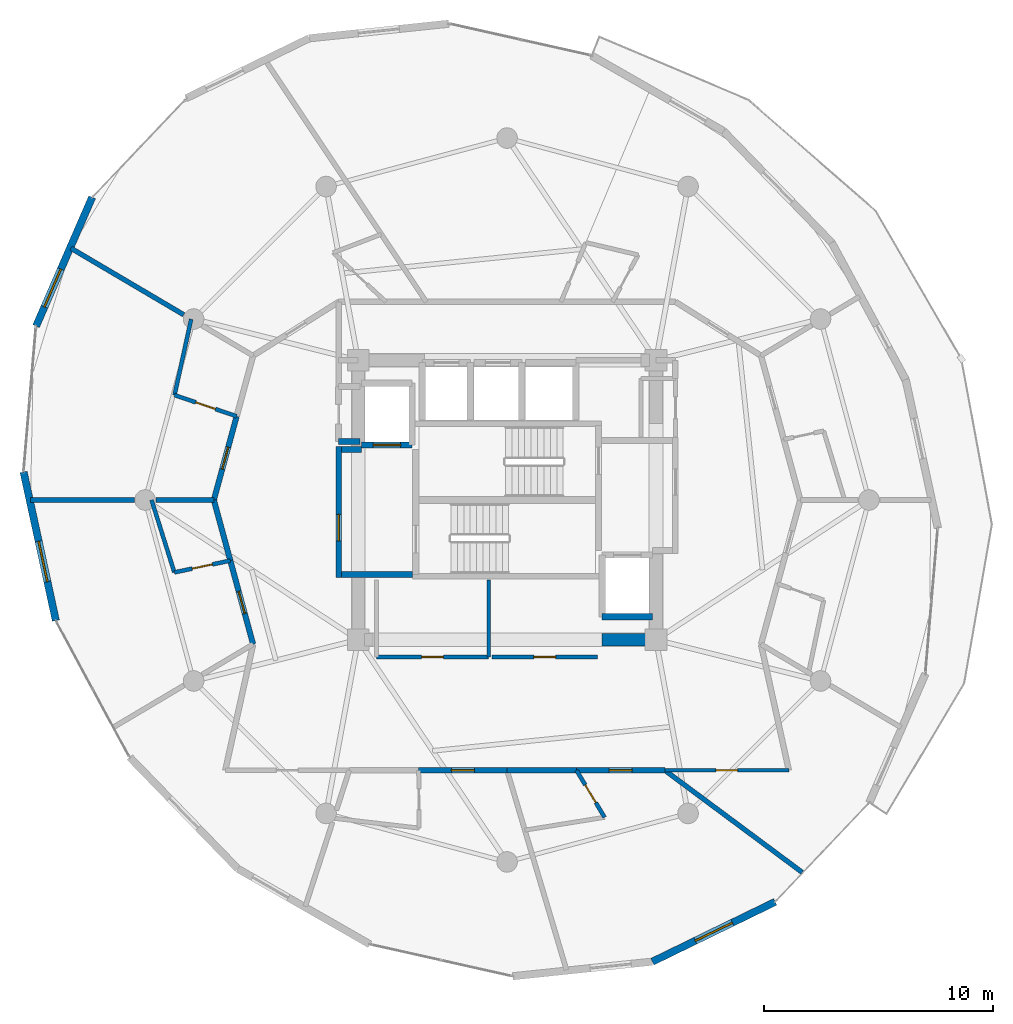
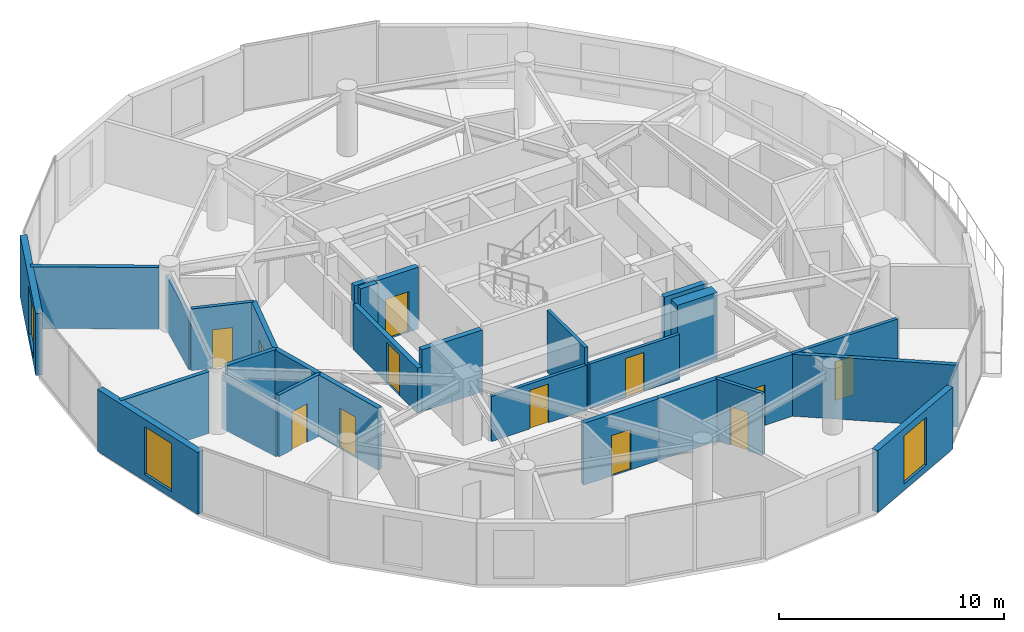
# One storey, part 18 of 23: 29 walls, 12 doors, 3 windows, 15 openings.
"""IFC4 building model written with IfcOpenShell, lengths in metres."""

from ifc_helpers import new_model, si_unit, direction, frame, frame_2d, origin, place, context, subcontext, project, spatial, rectangle, extrude, material, layer, layer_set, type_object, element, fill, save


model = new_model("IFC4")

# Units and contexts
model_context = context("Model", 3, precision=1e-05, world=origin(), true_north=direction((0.0, 1.0)))
body_context = subcontext(model_context, "Body", "Model", "MODEL_VIEW")
ifc_project = project(units=[si_unit("LENGTHUNIT", "METRE"), si_unit("AREAUNIT", "SQUARE_METRE"), si_unit("VOLUMEUNIT", "CUBIC_METRE"), si_unit("PLANEANGLEUNIT", "RADIAN"), si_unit("MASSUNIT", "GRAM", prefix="KILO")], contexts=[model_context])

# Site, building, storey
site_placement = place(None, origin())
site = spatial("IfcSite", under=ifc_project, at=site_placement, CompositionType="ELEMENT")
building_placement = place(site_placement, origin())
building = spatial("IfcBuilding", under=site, at=building_placement, Name="Solvirekh Grand Hotel", CompositionType="ELEMENT")
storey_placement = place(building_placement, frame((0.0, 0.0, 173.199951171875)))
storey = spatial("IfcBuildingStorey", under=building, at=storey_placement, Name="L44", CompositionType="ELEMENT", Elevation=173.199951171875)

# Wall, opening, door
ifc_material_1 = material(Name="Concrete C40/50", Category="concrete")
ifc_layer_1 = layer(ifc_material_1, 0.280029296875)
ifc_layer_set_1 = layer_set([ifc_layer_1], Name="Concrete C40/50")
wall_type_1 = type_object("IfcWallType", Name="CoreShaftWall_RC280", PredefinedType="SOLIDWALL", material=ifc_layer_set_1)
wall_1_placement = place(storey_placement, frame((-6.35009765625, 2.39990234375, 0.0), z_axis=(0.0, 0.0, 1.0), x_axis=(1.0, 0.0, 0.0)))
wall_1 = element("IfcWall", 1, at=wall_1_placement, inside=storey, type_object=wall_type_1, Name="L44 FL-1 hoistway S wall", PredefinedType="SOLIDWALL", context=body_context, shape_type="SweptSolid", body=[
    extrude(rectangle(XDim=2.2001953125, YDim=0.280029296875, at=frame_2d((1.10009765625, 0.0))), origin(), (0.0, 0.0, 1.0), 3.360107421875),
])
opening_1_placement = place(wall_1_placement, frame((0.5, 0.0, 0.0)))
opening_1 = element("IfcOpeningElement", 2, at=opening_1_placement, cuts=wall_1, Name="Opening LD02", PredefinedType="OPENING", context=body_context, shape_type="SweptSolid", body=[
    extrude(rectangle(XDim=1.199951171875, YDim=2.199951171875, at=frame_2d((0.60009765625, 1.10009765625))), frame((0.0, 0.14990234375, 0.0), z_axis=(0.0, -1.0, 0.0), x_axis=(1.0, 0.0, 0.0)), (0.0, 0.0, 1.0), 0.300048828125),
])
ifc_material_2 = material(Name="Fire-Rated Steel Door Assembly", Category="steel")
door_type_1 = type_object("IfcDoorType", Name="Door_LiftFF_1200X2200", OperationType="SLIDING_TO_LEFT", PredefinedType="DOOR", material=ifc_material_2)
door_1_placement = place(opening_1_placement, origin())
door_1 = element("IfcDoor", 3, at=door_1_placement, inside=storey, type_object=door_type_1, Name="L44 FL-1 sliding lift landing door", OperationType="SLIDING_TO_LEFT", OverallHeight=2.199951171875, OverallWidth=1.199951171875, PredefinedType="DOOR", context=body_context, shape_type="SweptSolid", body=[
    extrude(rectangle(XDim=1.199951171875, YDim=2.199951171875, at=frame_2d((0.60009765625, 1.10009765625))), frame((0.0, 0.02490234375, 0.0), z_axis=(0.0, -1.0, 0.0), x_axis=(1.0, 0.0, 0.0)), (0.0, 0.0, 1.0), 0.050048828125),
])
fill(opening_1, door_1)

# Walls
wall_2_placement = place(storey_placement, frame((4.14990234375, -5.10009765625, 0.0), z_axis=(0.0, 0.0, 1.0), x_axis=(1.0, 0.0, 0.0)))
element("IfcWall", 4, at=wall_2_placement, inside=storey, type_object=wall_type_1, Name="L44 FL-2 hoistway S wall", PredefinedType="SOLIDWALL", context=body_context, shape_type="SweptSolid", body=[
    extrude(rectangle(XDim=2.2001953125, YDim=0.280029296875, at=frame_2d((1.10009765625, 0.0))), origin(), (0.0, 0.0, 1.0), 3.360107421875),
])
ifc_material_3 = material(Name="Concrete C50/60", Category="concrete")
ifc_layer_2 = layer(ifc_material_3, 0.550048828125)
ifc_layer_set_2 = layer_set([ifc_layer_2], Name="Concrete C50/60")
wall_type_2 = type_object("IfcWallType", Name="CoreWall_RC550", PredefinedType="SHEAR", material=ifc_layer_set_2)
wall_3_placement = place(storey_placement, frame((4.14990234375, -6.10009765625, 0.0), z_axis=(0.0, 0.0, 1.0), x_axis=(1.0, 0.0, 0.0)))
element("IfcWall", 5, at=wall_3_placement, inside=storey, type_object=wall_type_2, Name="L44 core corner shear wall SE-S", PredefinedType="SHEAR", context=body_context, shape_type="SweptSolid", body=[
    extrude(rectangle(XDim=2.0751953125, YDim=0.550048828125, at=frame_2d((1.03759765625, 0.0))), origin(), (0.0, 0.0, 1.0), 3.60009765625),
])

# Wall, opening, window
ifc_material_4 = material(Name="Precast concrete C45/55", Category="concrete")
ifc_layer_3 = layer(ifc_material_4, 0.320068359375)
ifc_layer_set_3 = layer_set([ifc_layer_3], Name="Precast concrete C45/55")
wall_type_3 = type_object("IfcWallType", Name="ExtLobbyWall_RC320", PredefinedType="SOLIDWALL", material=ifc_layer_set_3)
wall_4_placement = place(storey_placement, frame((-20.56005859375, 7.590087890625, 0.0), z_axis=(0.0, 0.0, 1.0), x_axis=(0.398911001453, 0.916989647117, 0.0)))
wall_4 = element("IfcWall", 6, at=wall_4_placement, inside=storey, type_object=wall_type_3, Name="L44 exterior structural wall chord 12", PredefinedType="SOLIDWALL", context=body_context, shape_type="SweptSolid", body=[
    extrude(rectangle(XDim=6.1318359375, YDim=0.320068359375, at=frame_2d((3.06591796875, 0.0))), origin(), (0.0, 0.0, 1.0), 3.360107421875),
])
opening_2_placement = place(wall_4_placement, frame((0.9130859375, 0.0, 0.35009765625)))
opening_2 = element("IfcOpeningElement", 7, at=opening_2_placement, cuts=wall_4, Name="Opening W02", PredefinedType="OPENING", context=body_context, shape_type="SweptSolid", body=[
    extrude(rectangle(XDim=1.800048828125, YDim=2.60009765625, at=frame_2d((0.89990234375, 1.300048828125))), frame((0.0, 0.169921875, 0.0), z_axis=(0.0, -1.0, 0.0), x_axis=(1.0, 0.0, 0.0)), (0.0, 0.0, 1.0), 0.340087890625),
])
ifc_material_5 = material(Name="Low-E Tinted Bronze Laminated Glass", Category="aluminium")
window_type = type_object("IfcWindowType", Name="Win_LobbyExt_1800X2600", PartitioningType="SINGLE_PANEL", PredefinedType="WINDOW", material=ifc_material_5)
window_1_placement = place(opening_2_placement, origin())
window_1 = element("IfcWindow", 8, at=window_1_placement, inside=storey, type_object=window_type, Name="L44 panoramic bronze-framed window 12", OverallHeight=2.60009765625, OverallWidth=1.800048828125, PartitioningType="SINGLE_PANEL", PredefinedType="WINDOW", context=body_context, shape_type="SweptSolid", body=[
    extrude(rectangle(XDim=1.800048828125, YDim=2.60009765625, at=frame_2d((0.89990234375, 1.300048828125))), frame((0.0, 0.030029296875, 0.0), z_axis=(0.0, -1.0, 0.0), x_axis=(1.0, 0.0, 0.0)), (0.0, 0.0, 1.0), 0.06005859375),
])
fill(opening_2, window_1)

wall_5_placement = place(storey_placement, frame((-19.697998046875, -5.261962890625, 0.0), z_axis=(0.0, 0.0, 1.0), x_axis=(-0.211992849193, 0.977271217161, 0.0)))
wall_5 = element("IfcWall", 9, at=wall_5_placement, inside=storey, type_object=wall_type_3, Name="L44 exterior structural wall chord 14", PredefinedType="SOLIDWALL", context=body_context, shape_type="SweptSolid", body=[
    extrude(rectangle(XDim=6.636962890625, YDim=0.320068359375, at=frame_2d((3.318359375, 0.0))), origin(), (0.0, 0.0, 1.0), 3.360107421875),
])
opening_3_placement = place(wall_5_placement, frame((1.738037109375, 0.0, 0.35009765625)))
opening_3 = element("IfcOpeningElement", 10, at=opening_3_placement, cuts=wall_5, Name="Opening W02", PredefinedType="OPENING", context=body_context, shape_type="SweptSolid", body=[
    extrude(rectangle(XDim=1.800048828125, YDim=2.60009765625, at=frame_2d((0.89990234375, 1.300048828125))), frame((0.0, 0.169921875, 0.0), z_axis=(0.0, -1.0, 0.0), x_axis=(1.0, 0.0, 0.0)), (0.0, 0.0, 1.0), 0.340087890625),
])
window_2_placement = place(opening_3_placement, origin())
window_2 = element("IfcWindow", 11, at=window_2_placement, inside=storey, type_object=window_type, Name="L44 panoramic bronze-framed window 14", OverallHeight=2.60009765625, OverallWidth=1.800048828125, PartitioningType="SINGLE_PANEL", PredefinedType="WINDOW", context=body_context, shape_type="SweptSolid", body=[
    extrude(rectangle(XDim=1.800048828125, YDim=2.60009765625, at=frame_2d((0.89990234375, 1.300048828125))), frame((0.0, 0.030029296875, 0.0), z_axis=(0.0, -1.0, 0.0), x_axis=(1.0, 0.0, 0.0)), (0.0, 0.0, 1.0), 0.06005859375),
])
fill(opening_3, window_2)

wall_6_placement = place(storey_placement, frame((11.7080078125, -17.5419921875, 0.0), z_axis=(0.0, 0.0, 1.0), x_axis=(-0.899034471399, -0.437877858811, 0.0)))
wall_6 = element("IfcWall", 12, at=wall_6_placement, inside=storey, type_object=wall_type_3, Name="L44 exterior structural wall chord 20", PredefinedType="SOLIDWALL", context=body_context, shape_type="SweptSolid", body=[
    extrude(rectangle(XDim=5.967529296875, YDim=0.320068359375, at=frame_2d((2.98388671875, 0.0))), origin(), (0.0, 0.0, 1.0), 3.360107421875),
])
opening_4_placement = place(wall_6_placement, frame((2.083984375, 0.0, 0.35009765625)))
opening_4 = element("IfcOpeningElement", 13, at=opening_4_placement, cuts=wall_6, Name="Opening W02", PredefinedType="OPENING", context=body_context, shape_type="SweptSolid", body=[
    extrude(rectangle(XDim=1.800048828125, YDim=2.60009765625, at=frame_2d((0.89990234375, 1.300048828125))), frame((0.0, 0.169921875, 0.0), z_axis=(0.0, -1.0, 0.0), x_axis=(1.0, 0.0, 0.0)), (0.0, 0.0, 1.0), 0.340087890625),
])
window_3_placement = place(opening_4_placement, origin())
window_3 = element("IfcWindow", 14, at=window_3_placement, inside=storey, type_object=window_type, Name="L44 panoramic bronze-framed window 20", OverallHeight=2.60009765625, OverallWidth=1.800048828125, PartitioningType="SINGLE_PANEL", PredefinedType="WINDOW", context=body_context, shape_type="SweptSolid", body=[
    extrude(rectangle(XDim=1.800048828125, YDim=2.60009765625, at=frame_2d((0.89990234375, 1.300048828125))), frame((0.0, 0.030029296875, 0.0), z_axis=(0.0, -1.0, 0.0), x_axis=(1.0, 0.0, 0.0)), (0.0, 0.0, 1.0), 0.06005859375),
])
fill(opening_4, window_3)

# Wall, opening, door
ifc_material_6 = material(Name="Acoustic Gypsum Partition Assembly")
ifc_layer_4 = layer(ifc_material_6, 0.1650390625)
ifc_layer_set_4 = layer_set([ifc_layer_4], Name="Acoustic Gypsum Partition Assembly")
wall_type_4 = type_object("IfcWallType", Name="Part_BOH_165", PredefinedType="PARTITIONING", material=ifc_layer_set_4)
wall_7_placement = place(storey_placement, frame((-5.699951171875, -6.85009765625, 0.0), z_axis=(0.0, 0.0, 1.0), x_axis=(1.0, 0.0, 0.0)))
wall_7 = element("IfcWall", 15, at=wall_7_placement, inside=storey, type_object=wall_type_4, Name="L44 High-Zone Housekeeping Linen Room wall 1", PredefinedType="PARTITIONING", context=body_context, shape_type="SweptSolid", body=[
    extrude(rectangle(XDim=4.89990234375, YDim=0.1650390625, at=frame_2d((2.449951171875, 0.0))), origin(), (0.0, 0.0, 1.0), 2.445068359375),
])
opening_5_placement = place(wall_7_placement, frame((1.97509765625, 0.0, 0.0)))
opening_5 = element("IfcOpeningElement", 16, at=opening_5_placement, cuts=wall_7, Name="Opening D10", PredefinedType="OPENING", context=body_context, shape_type="SweptSolid", body=[
    extrude(rectangle(XDim=0.949951171875, YDim=2.10009765625, at=frame_2d((0.47509765625, 1.050048828125))), frame((0.0, 0.092529296875, 0.0), z_axis=(0.0, -1.0, 0.0), x_axis=(1.0, 0.0, 0.0)), (0.0, 0.0, 1.0), 0.18505859375),
])
ifc_material_7 = material(Name="Anodized Bronze Aluminium 6063-T6", Category="aluminium")
door_type_2 = type_object("IfcDoorType", Name="Door_RoomInt_950X2100", OperationType="NOTDEFINED", PredefinedType="DOOR", material=ifc_material_7)
door_2_placement = place(opening_5_placement, origin())
door_2 = element("IfcDoor", 17, at=door_2_placement, inside=storey, type_object=door_type_2, Name="L44 High-Zone Housekeeping Linen Room door", OperationType="SINGLE_SWING_LEFT", OverallHeight=2.10009765625, OverallWidth=0.949951171875, PredefinedType="DOOR", context=body_context, shape_type="SweptSolid", body=[
    extrude(rectangle(XDim=0.949951171875, YDim=2.10009765625, at=frame_2d((0.47509765625, 1.050048828125))), frame((0.0, 0.02490234375, 0.0), z_axis=(0.0, -1.0, 0.0), x_axis=(1.0, 0.0, 0.0)), (0.0, 0.0, 1.0), 0.050048828125),
])
fill(opening_5, door_2)

# Wall
wall_8_placement = place(storey_placement, frame((-0.800048828125, -6.85009765625, 0.0), z_axis=(0.0, 0.0, 1.0), x_axis=(0.0, 1.0, 0.0)))
element("IfcWall", 18, at=wall_8_placement, inside=storey, type_object=wall_type_4, Name="L44 High-Zone Housekeeping Linen Room wall 2", PredefinedType="PARTITIONING", context=body_context, shape_type="SweptSolid", body=[
    extrude(rectangle(XDim=3.35009765625, YDim=0.1650390625, at=frame_2d((1.675048828125, 0.0))), origin(), (0.0, 0.0, 1.0), 3.360107421875),
])

# Wall, opening, door
wall_9_placement = place(storey_placement, frame((-0.64990234375, -6.85009765625, 0.0), z_axis=(0.0, 0.0, 1.0), x_axis=(1.0, 0.0, 0.0)))
wall_9 = element("IfcWall", 19, at=wall_9_placement, inside=storey, type_object=wall_type_4, Name="L44 Butler Valet Steward Room wall 1", PredefinedType="PARTITIONING", context=body_context, shape_type="SweptSolid", body=[
    extrude(rectangle(XDim=4.599853515625, YDim=0.1650390625, at=frame_2d((2.2998046875, 0.0))), origin(), (0.0, 0.0, 1.0), 2.445068359375),
])
opening_6_placement = place(wall_9_placement, frame((1.824951171875, 0.0, 0.0)))
opening_6 = element("IfcOpeningElement", 20, at=opening_6_placement, cuts=wall_9, Name="Opening D10", PredefinedType="OPENING", context=body_context, shape_type="SweptSolid", body=[
    extrude(rectangle(XDim=0.949951171875, YDim=2.10009765625, at=frame_2d((0.47509765625, 1.050048828125))), frame((0.0, 0.092529296875, 0.0), z_axis=(0.0, -1.0, 0.0), x_axis=(1.0, 0.0, 0.0)), (0.0, 0.0, 1.0), 0.18505859375),
])
door_3_placement = place(opening_6_placement, origin())
door_3 = element("IfcDoor", 21, at=door_3_placement, inside=storey, type_object=door_type_2, Name="L44 Butler Valet Steward Room door", OperationType="SINGLE_SWING_RIGHT", OverallHeight=2.10009765625, OverallWidth=0.949951171875, PredefinedType="DOOR", context=body_context, shape_type="SweptSolid", body=[
    extrude(rectangle(XDim=0.949951171875, YDim=2.10009765625, at=frame_2d((0.47509765625, 1.050048828125))), frame((0.0, 0.02490234375, 0.0), z_axis=(0.0, -1.0, 0.0), x_axis=(1.0, 0.0, 0.0)), (0.0, 0.0, 1.0), 0.050048828125),
])
fill(opening_6, door_3)

wall_10_placement = place(storey_placement, frame((6.887939453125, -11.800048828125, 0.0), z_axis=(0.0, 0.0, 1.0), x_axis=(1.0, 0.0, 0.0)))
wall_10 = element("IfcWall", 22, at=wall_10_placement, inside=storey, type_object=wall_type_4, Name="L44 L44 Butler Valet & Linen Steward Room entrance wall", PredefinedType="PARTITIONING", context=body_context, shape_type="SweptSolid", body=[
    extrude(rectangle(XDim=5.412109375, YDim=0.1650390625, at=frame_2d((2.7060546875, 0.0))), origin(), (0.0, 0.0, 1.0), 3.360107421875),
])
opening_7_placement = place(wall_10_placement, frame((2.23095703125, 0.0, 0.0)))
opening_7 = element("IfcOpeningElement", 23, at=opening_7_placement, cuts=wall_10, Name="Opening D10", PredefinedType="OPENING", context=body_context, shape_type="SweptSolid", body=[
    extrude(rectangle(XDim=0.949951171875, YDim=2.10009765625, at=frame_2d((0.47509765625, 1.050048828125))), frame((0.0, 0.092529296875, 0.0), z_axis=(0.0, -1.0, 0.0), x_axis=(1.0, 0.0, 0.0)), (0.0, 0.0, 1.0), 0.18505859375),
])
door_4_placement = place(opening_7_placement, origin())
door_4 = element("IfcDoor", 24, at=door_4_placement, inside=storey, type_object=door_type_2, Name="L44 L44 Butler Valet & Linen Steward Room entrance door", OperationType="SINGLE_SWING_LEFT", OverallHeight=2.10009765625, OverallWidth=0.949951171875, PredefinedType="DOOR", context=body_context, shape_type="SweptSolid", body=[
    extrude(rectangle(XDim=0.949951171875, YDim=2.10009765625, at=frame_2d((0.47509765625, 1.050048828125))), frame((0.0, 0.02490234375, 0.0), z_axis=(0.0, -1.0, 0.0), x_axis=(1.0, 0.0, 0.0)), (0.0, 0.0, 1.0), 0.050048828125),
])
fill(opening_7, door_4)

ifc_layer_5 = layer(ifc_material_6, 0.239990234375)
ifc_layer_set_5 = layer_set([ifc_layer_5], Name="Acoustic Gypsum Partition Assembly")
wall_type_5 = type_object("IfcWallType", Name="Part_Corridor_240", PredefinedType="PARTITIONING", material=ifc_layer_set_5)
wall_11_placement = place(storey_placement, frame((-7.35009765625, -3.3798828125, 0.0), z_axis=(0.0, 0.0, 1.0), x_axis=(0.0, 1.0, 0.0)))
wall_11 = element("IfcWall", 25, at=wall_11_placement, inside=storey, type_object=wall_type_5, Name="L44 west firefighting lobby smoke screen wall", PredefinedType="PARTITIONING", context=body_context, shape_type="SweptSolid", body=[
    extrude(rectangle(XDim=5.719970703125, YDim=0.239990234375, at=frame_2d((2.85986328125, 0.0))), origin(), (0.0, 0.0, 1.0), 2.445068359375),
])
opening_8_placement = place(wall_11_placement, frame((1.59912109375, 0.0, 0.0)))
opening_8 = element("IfcOpeningElement", 26, at=opening_8_placement, cuts=wall_11, Name="Opening D06", PredefinedType="OPENING", context=body_context, shape_type="SweptSolid", body=[
    extrude(rectangle(XDim=1.14990234375, YDim=2.199951171875, at=frame_2d((0.574951171875, 1.10009765625))), frame((0.0, 0.1298828125, 0.0), z_axis=(0.0, -1.0, 0.0), x_axis=(1.0, 0.0, 0.0)), (0.0, 0.0, 1.0), 0.260009765625),
])
door_type_3 = type_object("IfcDoorType", Name="Door_FFLobby_1150X2200", OperationType="NOTDEFINED", PredefinedType="DOOR", material=ifc_material_2)
door_5_placement = place(opening_8_placement, origin())
door_5 = element("IfcDoor", 27, at=door_5_placement, inside=storey, type_object=door_type_3, Name="L44 west firefighting lobby smoke door", OperationType="SINGLE_SWING_LEFT", OverallHeight=2.199951171875, OverallWidth=1.14990234375, PredefinedType="DOOR", context=body_context, shape_type="SweptSolid", body=[
    extrude(rectangle(XDim=1.14990234375, YDim=2.199951171875, at=frame_2d((0.574951171875, 1.10009765625))), frame((0.0, 0.02490234375, 0.0), z_axis=(0.0, -1.0, 0.0), x_axis=(1.0, 0.0, 0.0)), (0.0, 0.0, 1.0), 0.050048828125),
])
fill(opening_8, door_5)

wall_12_placement = place(storey_placement, frame((-11.804931640625, 3.654052734375, 0.0), z_axis=(0.0, 0.0, 1.0), x_axis=(-0.262762825819, -0.964860454868, 0.0)))
wall_12 = element("IfcWall", 28, at=wall_12_placement, inside=storey, type_object=wall_type_5, Name="L44 Deluxe Guestroom 4603 entrance wall", PredefinedType="PARTITIONING", context=body_context, shape_type="SweptSolid", body=[
    extrude(rectangle(XDim=3.787109375, YDim=0.239990234375, at=frame_2d((1.8935546875, 0.0))), origin(), (0.0, 0.0, 1.0), 3.360107421875),
])
opening_9_placement = place(wall_12_placement, frame((1.39404296875, 0.0, 0.0)))
opening_9 = element("IfcOpeningElement", 29, at=opening_9_placement, cuts=wall_12, Name="Opening D07", PredefinedType="OPENING", context=body_context, shape_type="SweptSolid", body=[
    extrude(rectangle(XDim=1.0, YDim=2.199951171875, at=frame_2d((0.5, 1.10009765625))), frame((0.0, 0.1298828125, 0.0), z_axis=(0.0, -1.0, 0.0), x_axis=(1.0, 0.0, 0.0)), (0.0, 0.0, 1.0), 0.260009765625),
])
door_type_4 = type_object("IfcDoorType", Name="Door_GuestEntry_1000X2200", OperationType="NOTDEFINED", PredefinedType="DOOR", material=ifc_material_2)
door_6_placement = place(opening_9_placement, origin())
door_6 = element("IfcDoor", 30, at=door_6_placement, inside=storey, type_object=door_type_4, Name="L44 Deluxe Guestroom 4603 entrance door", OperationType="SINGLE_SWING_LEFT", OverallHeight=2.199951171875, OverallWidth=1.0, PredefinedType="DOOR", context=body_context, shape_type="SweptSolid", body=[
    extrude(rectangle(XDim=1.0, YDim=2.199951171875, at=frame_2d((0.5, 1.10009765625))), frame((0.0, 0.02490234375, 0.0), z_axis=(0.0, -1.0, 0.0), x_axis=(1.0, 0.0, 0.0)), (0.0, 0.0, 1.0), 0.050048828125),
])
fill(opening_9, door_6)

# Wall
wall_13_placement = place(storey_placement, frame((-12.800048828125, 0.0, 0.0), z_axis=(0.0, 0.0, 1.0), x_axis=(0.262552356383, -0.964917747872, 0.0)))
element("IfcWall", 31, at=wall_13_placement, inside=storey, type_object=wall_type_5, Name="L44 En-suite Bathroom 4604 corridor backing wall", PredefinedType="PARTITIONING", context=body_context, shape_type="SweptSolid", body=[
    extrude(rectangle(XDim=2.7421875, YDim=0.239990234375, at=frame_2d((1.37109375, 0.0))), origin(), (0.0, 0.0, 1.0), 3.360107421875),
])

# Wall, opening, door
wall_14_placement = place(storey_placement, frame((-12.080078125, -2.64599609375, 0.0), z_axis=(0.0, 0.0, 1.0), x_axis=(0.262762825819, -0.964860454868, 0.0)))
wall_14 = element("IfcWall", 32, at=wall_14_placement, inside=storey, type_object=wall_type_5, Name="L44 Deluxe Guestroom 4604 entrance wall", PredefinedType="PARTITIONING", context=body_context, shape_type="SweptSolid", body=[
    extrude(rectangle(XDim=3.787109375, YDim=0.239990234375, at=frame_2d((1.8935546875, 0.0))), origin(), (0.0, 0.0, 1.0), 3.360107421875),
])
opening_10_placement = place(wall_14_placement, frame((1.39404296875, 0.0, 0.0)))
opening_10 = element("IfcOpeningElement", 33, at=opening_10_placement, cuts=wall_14, Name="Opening D07", PredefinedType="OPENING", context=body_context, shape_type="SweptSolid", body=[
    extrude(rectangle(XDim=1.0, YDim=2.199951171875, at=frame_2d((0.5, 1.10009765625))), frame((0.0, 0.1298828125, 0.0), z_axis=(0.0, -1.0, 0.0), x_axis=(1.0, 0.0, 0.0)), (0.0, 0.0, 1.0), 0.260009765625),
])
door_7_placement = place(opening_10_placement, origin())
door_7 = element("IfcDoor", 34, at=door_7_placement, inside=storey, type_object=door_type_4, Name="L44 Deluxe Guestroom 4604 entrance door", OperationType="SINGLE_SWING_LEFT", OverallHeight=2.199951171875, OverallWidth=1.0, PredefinedType="DOOR", context=body_context, shape_type="SweptSolid", body=[
    extrude(rectangle(XDim=1.0, YDim=2.199951171875, at=frame_2d((0.5, 1.10009765625))), frame((0.0, 0.02490234375, 0.0), z_axis=(0.0, -1.0, 0.0), x_axis=(1.0, 0.0, 0.0)), (0.0, 0.0, 1.0), 0.050048828125),
])
fill(opening_10, door_7)

wall_15_placement = place(storey_placement, frame((-3.85693359375, -11.800048828125, 0.0), z_axis=(0.0, 0.0, 1.0), x_axis=(1.0, 0.0, 0.0)))
wall_15 = element("IfcWall", 35, at=wall_15_placement, inside=storey, type_object=wall_type_5, Name="L44 Deluxe Guestroom 4607 entrance wall", PredefinedType="PARTITIONING", context=body_context, shape_type="SweptSolid", body=[
    extrude(rectangle(XDim=3.85693359375, YDim=0.239990234375, at=frame_2d((1.928466796875, 0.0))), origin(), (0.0, 0.0, 1.0), 3.360107421875),
])
opening_11_placement = place(wall_15_placement, frame((1.428955078125, 0.0, 0.0)))
opening_11 = element("IfcOpeningElement", 36, at=opening_11_placement, cuts=wall_15, Name="Opening D07", PredefinedType="OPENING", context=body_context, shape_type="SweptSolid", body=[
    extrude(rectangle(XDim=1.0, YDim=2.199951171875, at=frame_2d((0.5, 1.10009765625))), frame((0.0, 0.1298828125, 0.0), z_axis=(0.0, -1.0, 0.0), x_axis=(1.0, 0.0, 0.0)), (0.0, 0.0, 1.0), 0.260009765625),
])
door_8_placement = place(opening_11_placement, origin())
door_8 = element("IfcDoor", 37, at=door_8_placement, inside=storey, type_object=door_type_4, Name="L44 Deluxe Guestroom 4607 entrance door", OperationType="SINGLE_SWING_RIGHT", OverallHeight=2.199951171875, OverallWidth=1.0, PredefinedType="DOOR", context=body_context, shape_type="SweptSolid", body=[
    extrude(rectangle(XDim=1.0, YDim=2.199951171875, at=frame_2d((0.5, 1.10009765625))), frame((0.0, 0.02490234375, 0.0), z_axis=(0.0, -1.0, 0.0), x_axis=(1.0, 0.0, 0.0)), (0.0, 0.0, 1.0), 0.050048828125),
])
fill(opening_11, door_8)

# Wall
wall_16_placement = place(storey_placement, frame((0.0, -11.800048828125, 0.0), z_axis=(0.0, 0.0, 1.0), x_axis=(1.0, 0.0, 0.0)))
element("IfcWall", 38, at=wall_16_placement, inside=storey, type_object=wall_type_5, Name="L44 En-suite Bathroom 4608 corridor backing wall", PredefinedType="PARTITIONING", context=body_context, shape_type="SweptSolid", body=[
    extrude(rectangle(XDim=3.031005859375, YDim=0.239990234375, at=frame_2d((1.515625, 0.0))), origin(), (0.0, 0.0, 1.0), 3.360107421875),
])

# Wall, opening, door
wall_17_placement = place(storey_placement, frame((3.031005859375, -11.800048828125, 0.0), z_axis=(0.0, 0.0, 1.0), x_axis=(1.0, 0.0, 0.0)))
wall_17 = element("IfcWall", 39, at=wall_17_placement, inside=storey, type_object=wall_type_5, Name="L44 Deluxe Guestroom 4608 entrance wall", PredefinedType="PARTITIONING", context=body_context, shape_type="SweptSolid", body=[
    extrude(rectangle(XDim=3.85693359375, YDim=0.239990234375, at=frame_2d((1.928466796875, 0.0))), origin(), (0.0, 0.0, 1.0), 3.360107421875),
])
opening_12_placement = place(wall_17_placement, frame((1.427978515625, 0.0, 0.0)))
opening_12 = element("IfcOpeningElement", 40, at=opening_12_placement, cuts=wall_17, Name="Opening D07", PredefinedType="OPENING", context=body_context, shape_type="SweptSolid", body=[
    extrude(rectangle(XDim=1.0, YDim=2.199951171875, at=frame_2d((0.5, 1.10009765625))), frame((0.0, 0.1298828125, 0.0), z_axis=(0.0, -1.0, 0.0), x_axis=(1.0, 0.0, 0.0)), (0.0, 0.0, 1.0), 0.260009765625),
])
door_9_placement = place(opening_12_placement, origin())
door_9 = element("IfcDoor", 41, at=door_9_placement, inside=storey, type_object=door_type_4, Name="L44 Deluxe Guestroom 4608 entrance door", OperationType="SINGLE_SWING_RIGHT", OverallHeight=2.199951171875, OverallWidth=1.0, PredefinedType="DOOR", context=body_context, shape_type="SweptSolid", body=[
    extrude(rectangle(XDim=1.0, YDim=2.199951171875, at=frame_2d((0.5, 1.10009765625))), frame((0.0, 0.02490234375, 0.0), z_axis=(0.0, -1.0, 0.0), x_axis=(1.0, 0.0, 0.0)), (0.0, 0.0, 1.0), 0.050048828125),
])
fill(opening_12, door_9)

# Walls
ifc_layer_6 = layer(ifc_material_6, 0.260009765625)
ifc_layer_set_6 = layer_set([ifc_layer_6], Name="Acoustic Gypsum Partition Assembly")
wall_type_6 = type_object("IfcWallType", Name="Part_LobbyFF_260", PredefinedType="PARTITIONING", material=ifc_layer_set_6)
wall_18_placement = place(storey_placement, frame((-7.22509765625, -3.25, 0.0), z_axis=(0.0, 0.0, 1.0), x_axis=(1.0, 0.0, 0.0)))
element("IfcWall", 42, at=wall_18_placement, inside=storey, type_object=wall_type_6, Name="L44 west firefighting lobby south partition", PredefinedType="PARTITIONING", context=body_context, shape_type="SweptSolid", body=[
    extrude(rectangle(XDim=3.09521484375, YDim=0.260009765625, at=frame_2d((1.547607421875, 0.0))), origin(), (0.0, 0.0, 1.0), 3.360107421875),
])
wall_19_placement = place(storey_placement, frame((-7.22509765625, 2.2099609375, 0.0), z_axis=(0.0, 0.0, 1.0), x_axis=(1.0, 0.0, 0.0)))
element("IfcWall", 43, at=wall_19_placement, inside=storey, type_object=wall_type_6, Name="L44 west firefighting lobby NW cheek", PredefinedType="PARTITIONING", context=body_context, shape_type="SweptSolid", body=[
    extrude(rectangle(XDim=0.875, YDim=0.260009765625, at=frame_2d((0.4375, 0.0))), origin(), (0.0, 0.0, 1.0), 3.360107421875),
])
wall_20_placement = place(storey_placement, frame((-7.35009765625, 2.550048828125, 0.0), z_axis=(0.0, 0.0, 1.0), x_axis=(1.0, 0.0, 0.0)))
element("IfcWall", 44, at=wall_20_placement, inside=storey, type_object=wall_type_6, Name="L44 NW telecom metering cupboard south wall", PredefinedType="PARTITIONING", context=body_context, shape_type="SweptSolid", body=[
    extrude(rectangle(XDim=0.93017578125, YDim=0.260009765625, at=frame_2d((0.465087890625, 0.0))), origin(), (0.0, 0.0, 1.0), 3.360107421875),
])
ifc_layer_7 = layer(ifc_material_6, 0.2099609375)
ifc_layer_set_7 = layer_set([ifc_layer_7], Name="Acoustic Gypsum Partition Assembly")
wall_type_7 = type_object("IfcWallType", Name="Part_SuiteDemise_210", PredefinedType="PARTITIONING", material=ifc_layer_set_7)
wall_21_placement = place(storey_placement, frame((-14.114013671875, 8.0869140625, 0.0), z_axis=(0.0, 0.0, 1.0), x_axis=(-0.861313184314, 0.50807440255, 0.0)))
element("IfcWall", 45, at=wall_21_placement, inside=storey, type_object=wall_type_7, Name="L44 suite radial wall 6 (B)", PredefinedType="PARTITIONING", context=body_context, shape_type="SweptSolid", body=[
    extrude(rectangle(XDim=5.7158203125, YDim=0.2099609375, at=frame_2d((2.85791015625, 0.0))), origin(), (0.0, 0.0, 1.0), 3.360107421875),
])
wall_22_placement = place(storey_placement, frame((-12.800048828125, 0.0, 0.0), z_axis=(0.0, 0.0, 1.0), x_axis=(-1.0, 0.0, 0.0)))
element("IfcWall", 46, at=wall_22_placement, inside=storey, type_object=wall_type_7, Name="L44 suite radial wall 7 (A)", PredefinedType="PARTITIONING", context=body_context, shape_type="SweptSolid", body=[
    extrude(rectangle(XDim=2.530029296875, YDim=0.2099609375, at=frame_2d((1.26513671875, 0.0))), origin(), (0.0, 0.0, 1.0), 3.360107421875),
])
wall_23_placement = place(storey_placement, frame((-16.27001953125, 0.0, 0.0), z_axis=(0.0, 0.0, 1.0), x_axis=(-1.0, 0.0, 0.0)))
element("IfcWall", 47, at=wall_23_placement, inside=storey, type_object=wall_type_7, Name="L44 suite radial wall 7 (B)", PredefinedType="PARTITIONING", context=body_context, shape_type="SweptSolid", body=[
    extrude(rectangle(XDim=4.529052734375, YDim=0.2099609375, at=frame_2d((2.2646484375, 0.0))), origin(), (0.0, 0.0, 1.0), 3.360107421875),
])
wall_24_placement = place(storey_placement, frame((6.887939453125, -11.800048828125, 0.0), z_axis=(0.0, 0.0, 1.0), x_axis=(0.802774719759, -0.596282440892, 0.0)))
element("IfcWall", 48, at=wall_24_placement, inside=storey, type_object=wall_type_7, Name="L44 Deluxe Guestroom 4608 dividing partition 1", PredefinedType="PARTITIONING", context=body_context, shape_type="SweptSolid", body=[
    extrude(rectangle(XDim=7.462890625, YDim=0.2099609375, at=frame_2d((3.7314453125, 0.0))), origin(), (0.0, 0.0, 1.0), 3.360107421875),
])
ifc_layer_8 = layer(ifc_material_6, 0.175048828125)
ifc_layer_set_8 = layer_set([ifc_layer_8], Name="Acoustic Gypsum Partition Assembly")
wall_type_8 = type_object("IfcWallType", Name="Plumb_Ensuite_175", PredefinedType="PLUMBINGWALL", material=ifc_layer_set_8)
wall_25_placement = place(storey_placement, frame((-13.7890625, 7.89501953125, 0.0), z_axis=(0.0, 0.0, 1.0), x_axis=(-0.213829865727, -0.976870917022, 0.0)))
element("IfcWall", 49, at=wall_25_placement, inside=storey, type_object=wall_type_8, Name="L44 En-suite Bathroom 4603 outer plumbing wall", PredefinedType="PLUMBINGWALL", context=body_context, shape_type="SweptSolid", body=[
    extrude(rectangle(XDim=3.39453125, YDim=0.175048828125, at=frame_2d((1.697265625, 0.0))), origin(), (0.0, 0.0, 1.0), 2.928955078125),
])

# Wall, opening, door
wall_26_placement = place(storey_placement, frame((-11.804931640625, 3.654052734375, 0.0), z_axis=(0.0, 0.0, 1.0), x_axis=(-0.946382283588, 0.323048871398, 0.0)))
wall_26 = element("IfcWall", 50, at=wall_26_placement, inside=storey, type_object=wall_type_8, Name="L44 En-suite Bathroom 4603 entry plumbing wall", PredefinedType="PLUMBINGWALL", context=body_context, shape_type="SweptSolid", body=[
    extrude(rectangle(XDim=2.863525390625, YDim=0.175048828125, at=frame_2d((1.431640625, 0.0))), origin(), (0.0, 0.0, 1.0), 3.360107421875),
])
opening_13_placement = place(wall_26_placement, frame((0.98193359375, 0.0, 0.0)))
opening_13 = element("IfcOpeningElement", 51, at=opening_13_placement, cuts=wall_26, Name="Opening D09", PredefinedType="OPENING", context=body_context, shape_type="SweptSolid", body=[
    extrude(rectangle(XDim=0.89990234375, YDim=2.10009765625, at=frame_2d((0.449951171875, 1.050048828125))), frame((0.0, 0.09765625, 0.0), z_axis=(0.0, -1.0, 0.0), x_axis=(1.0, 0.0, 0.0)), (0.0, 0.0, 1.0), 0.195068359375),
])
door_type_5 = type_object("IfcDoorType", Name="Door_Ensuite_900X2100", OperationType="NOTDEFINED", PredefinedType="DOOR", material=ifc_material_7)
door_10_placement = place(opening_13_placement, origin())
door_10 = element("IfcDoor", 52, at=door_10_placement, inside=storey, type_object=door_type_5, Name="L44 En-suite Bathroom 4603 door", OperationType="SINGLE_SWING_RIGHT", OverallHeight=2.10009765625, OverallWidth=0.89990234375, PredefinedType="DOOR", context=body_context, shape_type="SweptSolid", body=[
    extrude(rectangle(XDim=0.89990234375, YDim=2.10009765625, at=frame_2d((0.449951171875, 1.050048828125))), frame((0.0, 0.02490234375, 0.0), z_axis=(0.0, -1.0, 0.0), x_axis=(1.0, 0.0, 0.0)), (0.0, 0.0, 1.0), 0.050048828125),
])
fill(opening_13, door_10)

# Wall
wall_27_placement = place(storey_placement, frame((-15.52001953125, 0.0, 0.0), z_axis=(0.0, 0.0, 1.0), x_axis=(0.300912730095, -0.953651681101, 0.0)))
element("IfcWall", 53, at=wall_27_placement, inside=storey, type_object=wall_type_8, Name="L44 En-suite Bathroom 4604 outer plumbing wall", PredefinedType="PLUMBINGWALL", context=body_context, shape_type="SweptSolid", body=[
    extrude(rectangle(XDim=3.3134765625, YDim=0.175048828125, at=frame_2d((1.65673828125, 0.0))), origin(), (0.0, 0.0, 1.0), 2.928955078125),
])

# Wall, opening, door
wall_28_placement = place(storey_placement, frame((-12.080078125, -2.64599609375, 0.0), z_axis=(0.0, 0.0, 1.0), x_axis=(-0.978579866642, -0.205867541403, 0.0)))
wall_28 = element("IfcWall", 54, at=wall_28_placement, inside=storey, type_object=wall_type_8, Name="L44 En-suite Bathroom 4604 entry plumbing wall", PredefinedType="PLUMBINGWALL", context=body_context, shape_type="SweptSolid", body=[
    extrude(rectangle(XDim=2.496337890625, YDim=0.175048828125, at=frame_2d((1.248046875, 0.0))), origin(), (0.0, 0.0, 1.0), 3.360107421875),
])
opening_14_placement = place(wall_28_placement, frame((0.798095703125, 0.0, 0.0)))
opening_14 = element("IfcOpeningElement", 55, at=opening_14_placement, cuts=wall_28, Name="Opening D09", PredefinedType="OPENING", context=body_context, shape_type="SweptSolid", body=[
    extrude(rectangle(XDim=0.89990234375, YDim=2.10009765625, at=frame_2d((0.449951171875, 1.050048828125))), frame((0.0, 0.09765625, 0.0), z_axis=(0.0, -1.0, 0.0), x_axis=(1.0, 0.0, 0.0)), (0.0, 0.0, 1.0), 0.195068359375),
])
door_11_placement = place(opening_14_placement, origin())
door_11 = element("IfcDoor", 56, at=door_11_placement, inside=storey, type_object=door_type_5, Name="L44 En-suite Bathroom 4604 door", OperationType="SINGLE_SWING_RIGHT", OverallHeight=2.10009765625, OverallWidth=0.89990234375, PredefinedType="DOOR", context=body_context, shape_type="SweptSolid", body=[
    extrude(rectangle(XDim=0.89990234375, YDim=2.10009765625, at=frame_2d((0.449951171875, 1.050048828125))), frame((0.0, 0.02490234375, 0.0), z_axis=(0.0, -1.0, 0.0), x_axis=(1.0, 0.0, 0.0)), (0.0, 0.0, 1.0), 0.050048828125),
])
fill(opening_14, door_11)

wall_29_placement = place(storey_placement, frame((3.031005859375, -11.800048828125, 0.0), z_axis=(0.0, 0.0, 1.0), x_axis=(0.513277784821, -0.858222532685, 0.0)))
wall_29 = element("IfcWall", 57, at=wall_29_placement, inside=storey, type_object=wall_type_8, Name="L44 En-suite Bathroom 4608 entry plumbing wall", PredefinedType="PLUMBINGWALL", context=body_context, shape_type="SweptSolid", body=[
    extrude(rectangle(XDim=2.388671875, YDim=0.175048828125, at=frame_2d((1.1943359375, 0.0))), origin(), (0.0, 0.0, 1.0), 3.360107421875),
])
opening_15_placement = place(wall_29_placement, frame((0.743896484375, 0.0, 0.0)))
opening_15 = element("IfcOpeningElement", 58, at=opening_15_placement, cuts=wall_29, Name="Opening D09", PredefinedType="OPENING", context=body_context, shape_type="SweptSolid", body=[
    extrude(rectangle(XDim=0.89990234375, YDim=2.10009765625, at=frame_2d((0.449951171875, 1.050048828125))), frame((0.0, 0.09765625, 0.0), z_axis=(0.0, -1.0, 0.0), x_axis=(1.0, 0.0, 0.0)), (0.0, 0.0, 1.0), 0.195068359375),
])
door_12_placement = place(opening_15_placement, origin())
door_12 = element("IfcDoor", 59, at=door_12_placement, inside=storey, type_object=door_type_5, Name="L44 En-suite Bathroom 4608 door", OperationType="SINGLE_SWING_LEFT", OverallHeight=2.10009765625, OverallWidth=0.89990234375, PredefinedType="DOOR", context=body_context, shape_type="SweptSolid", body=[
    extrude(rectangle(XDim=0.89990234375, YDim=2.10009765625, at=frame_2d((0.449951171875, 1.050048828125))), frame((0.0, 0.02490234375, 0.0), z_axis=(0.0, -1.0, 0.0), x_axis=(1.0, 0.0, 0.0)), (0.0, 0.0, 1.0), 0.050048828125),
])
fill(opening_15, door_12)

save(model, "model.ifc")
